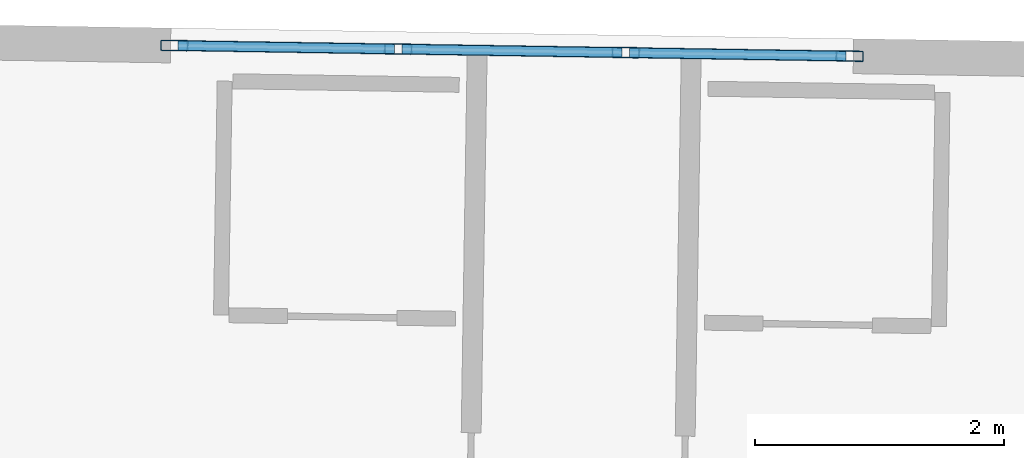
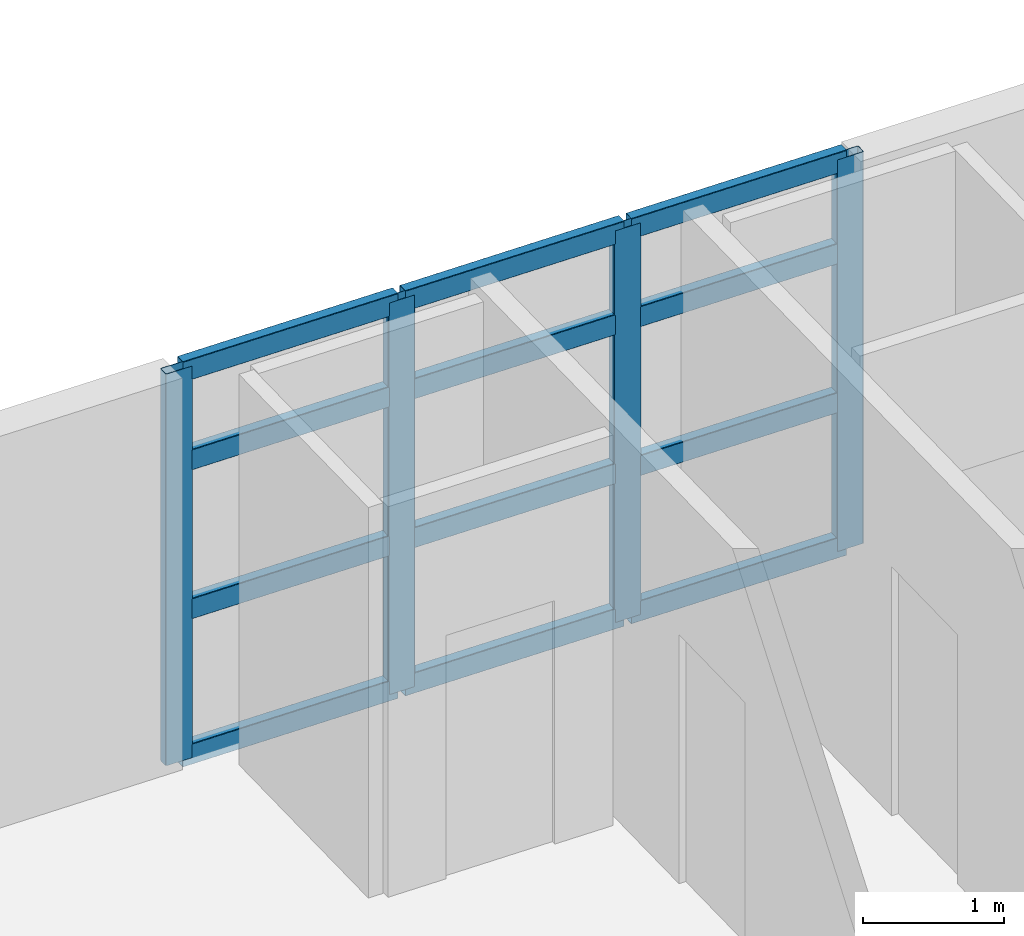
# One storey, part 9 of 22: 16 members, 1 element without a shape of its own.
"""IFC4 building model written with IfcOpenShell, lengths in metres."""

from ifc_helpers import new_model, si_unit, direction, frame, origin, origin_2d, place, context, subcontext, project, spatial, hollow_rectangle, extrude, material, layer, layer_set, material_profile, profile_set, type_object, element, aggregate, save


model = new_model("IFC4")

# Units and contexts
model_context = context("Model", 3, precision=1e-05, world=origin(), true_north=direction((0.0, 1.0)))
body_context = subcontext(model_context, "Body", "Model", "MODEL_VIEW")
ifc_project = project(units=[si_unit("LENGTHUNIT", "METRE"), si_unit("AREAUNIT", "SQUARE_METRE"), si_unit("VOLUMEUNIT", "CUBIC_METRE"), si_unit("PLANEANGLEUNIT", "RADIAN"), si_unit("MASSUNIT", "GRAM", prefix="KILO")], contexts=[model_context])

# Site, building, storey
site_placement = place(None, origin())
site = spatial("IfcSite", under=ifc_project, at=site_placement, CompositionType="ELEMENT")
building_placement = place(site_placement, origin())
building = spatial("IfcBuilding", under=site, at=building_placement, Name="Qingluan Cross Belvedere", CompositionType="ELEMENT")
storey_placement = place(building_placement, frame((0.0, 0.0, 100.199951171875)))
storey = spatial("IfcBuildingStorey", under=building, at=storey_placement, Name="L25", CompositionType="ELEMENT", Elevation=100.199951171875)

# Curtain wall, members
ifc_material_1 = material(Name="Thermally broken aluminium and Low-E glass", Category="aluminium")
ifc_layer = layer(ifc_material_1, 0.199951171875, Name="UnitisedCW_SkyLobbyLow")
ifc_layer_set = layer_set([ifc_layer], Name="Thermally broken aluminium and Low-E glass")
curtain_wall_type = type_object("IfcCurtainWallType", Name="UnitisedCW_SkyLobbyLow", PredefinedType="USERDEFINED", material=ifc_layer_set)
curtain_wall_placement = place(storey_placement, origin())
curtain_wall = element("IfcCurtainWall", 1, at=curtain_wall_placement, inside=storey, type_object=curtain_wall_type, Name="UnitisedCW_SkyLobbyLow run env:cw:L25:N", ObjectType="UNITISED CURTAIN WALL", PredefinedType="USERDEFINED")
ifc_material_2 = material(Name="Aluminium alloy 6063-T6", Category="aluminium")
ifc_material_profile_1 = material_profile(ifc_material_2, hollow_rectangle(XDim=0.0849609375, YDim=0.219970703125, WallThickness=0.0048828125, InnerFilletRadius=0.0048828125, OuterFilletRadius=0.010009765625, at=origin_2d()), Name="CWM220x85x5")
ifc_profile_set_1 = profile_set([ifc_material_profile_1], Name="Aluminium alloy 6063-T6")
member_type_1 = type_object("IfcMemberType", Name="CWMullion_220", PredefinedType="MULLION", material=ifc_profile_set_1)
member_1_placement = place(storey_placement, frame((3.26611328125, 35.133056640625, 0.0), z_axis=(0.0, 0.0, 1.0), x_axis=(-0.015707062874, -0.999876636479, 0.0)))
member_1 = element("IfcMember", 2, at=member_1_placement, type_object=member_type_1, Name="CW-S1 mullion 1", PredefinedType="MULLION", context=body_context, shape_type="SweptSolid", body=[
    extrude(hollow_rectangle(XDim=0.0849609375, YDim=0.219970703125, WallThickness=0.0048828125, InnerFilletRadius=0.0048828125, OuterFilletRadius=0.010009765625, at=origin_2d()), origin(), (0.0, 0.0, 1.0), 3.380126953125),
])
member_2_placement = place(storey_placement, frame((1.467041015625, 35.161376953125, 0.0), z_axis=(0.0, 0.0, 1.0), x_axis=(-0.015707062874, -0.999876636479, 0.0)))
member_2 = element("IfcMember", 3, at=member_2_placement, type_object=member_type_1, Name="CW-S1 mullion 2", PredefinedType="MULLION", context=body_context, shape_type="SweptSolid", body=[
    extrude(hollow_rectangle(XDim=0.0849609375, YDim=0.219970703125, WallThickness=0.0048828125, InnerFilletRadius=0.0048828125, OuterFilletRadius=0.010009765625, at=origin_2d()), origin(), (0.0, 0.0, 1.0), 3.380126953125),
])
member_3_placement = place(storey_placement, frame((-0.362060546875, 35.190185546875, 0.0), z_axis=(0.0, 0.0, 1.0), x_axis=(-0.015707062874, -0.999876636479, 0.0)))
member_3 = element("IfcMember", 4, at=member_3_placement, type_object=member_type_1, Name="CW-S1 mullion 3", PredefinedType="MULLION", context=body_context, shape_type="SweptSolid", body=[
    extrude(hollow_rectangle(XDim=0.0849609375, YDim=0.219970703125, WallThickness=0.0048828125, InnerFilletRadius=0.0048828125, OuterFilletRadius=0.010009765625, at=origin_2d()), origin(), (0.0, 0.0, 1.0), 3.380126953125),
])
member_4_placement = place(storey_placement, frame((-2.1611328125, 35.21826171875, 0.0), z_axis=(0.0, 0.0, 1.0), x_axis=(-0.015707062874, -0.999876636479, 0.0)))
member_4 = element("IfcMember", 5, at=member_4_placement, type_object=member_type_1, Name="CW-S1 mullion 4", PredefinedType="MULLION", context=body_context, shape_type="SweptSolid", body=[
    extrude(hollow_rectangle(XDim=0.0849609375, YDim=0.219970703125, WallThickness=0.0048828125, InnerFilletRadius=0.0048828125, OuterFilletRadius=0.010009765625, at=origin_2d()), origin(), (0.0, 0.0, 1.0), 3.380126953125),
])
ifc_material_3 = material(Name="Aluminium alloy 6063-T6", Category="aluminium")
ifc_material_profile_2 = material_profile(ifc_material_3, hollow_rectangle(XDim=0.0849609375, YDim=0.179931640625, WallThickness=0.00390625, InnerFilletRadius=0.00390625, OuterFilletRadius=0.008056640625, at=origin_2d()), Name="CWT180x85x4")
ifc_profile_set_2 = profile_set([ifc_material_profile_2], Name="Aluminium alloy 6063-T6")
member_type_2 = type_object("IfcMemberType", Name="CWTransom_180", PredefinedType="USERDEFINED", material=ifc_profile_set_2)
member_5_placement = place(storey_placement, frame((3.236328125, 35.133544921875, 0.030029296875), z_axis=(-0.999876440048, 0.015719562224, 0.0), x_axis=(-0.015719562224, -0.999876440048, 0.0)))
member_5 = element("IfcMember", 6, at=member_5_placement, type_object=member_type_2, Name="CW-S1 transom 1.1", ObjectType="TRANSOM", PredefinedType="USERDEFINED", context=body_context, shape_type="SweptSolid", body=[
    extrude(hollow_rectangle(XDim=0.0849609375, YDim=0.179931640625, WallThickness=0.00390625, InnerFilletRadius=0.00390625, OuterFilletRadius=0.008056640625, at=origin_2d()), origin(), (0.0, 0.0, 1.0), 1.739501953125),
])
member_6_placement = place(storey_placement, frame((3.236328125, 35.133544921875, 1.283935546875), z_axis=(-0.999876440048, 0.015719562224, 0.0), x_axis=(-0.015719562224, -0.999876440048, 0.0)))
member_6 = element("IfcMember", 7, at=member_6_placement, type_object=member_type_2, Name="CW-S1 transom 1.2", ObjectType="TRANSOM", PredefinedType="USERDEFINED", context=body_context, shape_type="SweptSolid", body=[
    extrude(hollow_rectangle(XDim=0.0849609375, YDim=0.179931640625, WallThickness=0.00390625, InnerFilletRadius=0.00390625, OuterFilletRadius=0.008056640625, at=origin_2d()), origin(), (0.0, 0.0, 1.0), 1.739501953125),
])
member_7_placement = place(storey_placement, frame((3.236328125, 35.133544921875, 2.569091796875), z_axis=(-0.999876440048, 0.015719562224, 0.0), x_axis=(-0.015719562224, -0.999876440048, 0.0)))
member_7 = element("IfcMember", 8, at=member_7_placement, type_object=member_type_2, Name="CW-S1 transom 1.3", ObjectType="TRANSOM", PredefinedType="USERDEFINED", context=body_context, shape_type="SweptSolid", body=[
    extrude(hollow_rectangle(XDim=0.0849609375, YDim=0.179931640625, WallThickness=0.00390625, InnerFilletRadius=0.00390625, OuterFilletRadius=0.008056640625, at=origin_2d()), origin(), (0.0, 0.0, 1.0), 1.739501953125),
])
member_8_placement = place(storey_placement, frame((3.236328125, 35.133544921875, 3.35009765625), z_axis=(-0.999876440048, 0.015719562224, 0.0), x_axis=(-0.015719562224, -0.999876440048, 0.0)))
member_8 = element("IfcMember", 9, at=member_8_placement, type_object=member_type_2, Name="CW-S1 transom 1.4", ObjectType="TRANSOM", PredefinedType="USERDEFINED", context=body_context, shape_type="SweptSolid", body=[
    extrude(hollow_rectangle(XDim=0.0849609375, YDim=0.179931640625, WallThickness=0.00390625, InnerFilletRadius=0.00390625, OuterFilletRadius=0.008056640625, at=origin_2d()), origin(), (0.0, 0.0, 1.0), 1.739501953125),
])
member_9_placement = place(storey_placement, frame((1.43701171875, 35.161865234375, 0.030029296875), z_axis=(-0.999876262188, 0.015730871362, 0.0), x_axis=(-0.015730871362, -0.999876262188, 0.0)))
member_9 = element("IfcMember", 10, at=member_9_placement, type_object=member_type_2, Name="CW-S1 transom 2.1", ObjectType="TRANSOM", PredefinedType="USERDEFINED", context=body_context, shape_type="SweptSolid", body=[
    extrude(hollow_rectangle(XDim=0.0849609375, YDim=0.179931640625, WallThickness=0.00390625, InnerFilletRadius=0.00390625, OuterFilletRadius=0.008056640625, at=origin_2d()), origin(), (0.0, 0.0, 1.0), 1.769287109375),
])
member_10_placement = place(storey_placement, frame((1.43701171875, 35.161865234375, 1.283935546875), z_axis=(-0.999876262188, 0.015730871362, 0.0), x_axis=(-0.015730871362, -0.999876262188, 0.0)))
member_10 = element("IfcMember", 11, at=member_10_placement, type_object=member_type_2, Name="CW-S1 transom 2.2", ObjectType="TRANSOM", PredefinedType="USERDEFINED", context=body_context, shape_type="SweptSolid", body=[
    extrude(hollow_rectangle(XDim=0.0849609375, YDim=0.179931640625, WallThickness=0.00390625, InnerFilletRadius=0.00390625, OuterFilletRadius=0.008056640625, at=origin_2d()), origin(), (0.0, 0.0, 1.0), 1.769287109375),
])
member_11_placement = place(storey_placement, frame((1.43701171875, 35.161865234375, 2.569091796875), z_axis=(-0.999876262188, 0.015730871362, 0.0), x_axis=(-0.015730871362, -0.999876262188, 0.0)))
member_11 = element("IfcMember", 12, at=member_11_placement, type_object=member_type_2, Name="CW-S1 transom 2.3", ObjectType="TRANSOM", PredefinedType="USERDEFINED", context=body_context, shape_type="SweptSolid", body=[
    extrude(hollow_rectangle(XDim=0.0849609375, YDim=0.179931640625, WallThickness=0.00390625, InnerFilletRadius=0.00390625, OuterFilletRadius=0.008056640625, at=origin_2d()), origin(), (0.0, 0.0, 1.0), 1.769287109375),
])
member_12_placement = place(storey_placement, frame((1.43701171875, 35.161865234375, 3.35009765625), z_axis=(-0.999876262188, 0.015730871362, 0.0), x_axis=(-0.015730871362, -0.999876262188, 0.0)))
member_12 = element("IfcMember", 13, at=member_12_placement, type_object=member_type_2, Name="CW-S1 transom 2.4", ObjectType="TRANSOM", PredefinedType="USERDEFINED", context=body_context, shape_type="SweptSolid", body=[
    extrude(hollow_rectangle(XDim=0.0849609375, YDim=0.179931640625, WallThickness=0.00390625, InnerFilletRadius=0.00390625, OuterFilletRadius=0.008056640625, at=origin_2d()), origin(), (0.0, 0.0, 1.0), 1.769287109375),
])
member_13_placement = place(storey_placement, frame((-0.39208984375, 35.1904296875, 0.030029296875), z_axis=(-0.999876405359, 0.015721768553, 0.0), x_axis=(-0.015721768553, -0.999876405359, 0.0)))
member_13 = element("IfcMember", 14, at=member_13_placement, type_object=member_type_2, Name="CW-S1 transom 3.1", ObjectType="TRANSOM", PredefinedType="USERDEFINED", context=body_context, shape_type="SweptSolid", body=[
    extrude(hollow_rectangle(XDim=0.0849609375, YDim=0.179931640625, WallThickness=0.00390625, InnerFilletRadius=0.00390625, OuterFilletRadius=0.008056640625, at=origin_2d()), origin(), (0.0, 0.0, 1.0), 1.7392578125),
])
member_14_placement = place(storey_placement, frame((-0.39208984375, 35.1904296875, 1.283935546875), z_axis=(-0.999876405359, 0.015721768553, 0.0), x_axis=(-0.015721768553, -0.999876405359, 0.0)))
member_14 = element("IfcMember", 15, at=member_14_placement, type_object=member_type_2, Name="CW-S1 transom 3.2", ObjectType="TRANSOM", PredefinedType="USERDEFINED", context=body_context, shape_type="SweptSolid", body=[
    extrude(hollow_rectangle(XDim=0.0849609375, YDim=0.179931640625, WallThickness=0.00390625, InnerFilletRadius=0.00390625, OuterFilletRadius=0.008056640625, at=origin_2d()), origin(), (0.0, 0.0, 1.0), 1.7392578125),
])
member_15_placement = place(storey_placement, frame((-0.39208984375, 35.1904296875, 2.569091796875), z_axis=(-0.999876405359, 0.015721768553, 0.0), x_axis=(-0.015721768553, -0.999876405359, 0.0)))
member_15 = element("IfcMember", 16, at=member_15_placement, type_object=member_type_2, Name="CW-S1 transom 3.3", ObjectType="TRANSOM", PredefinedType="USERDEFINED", context=body_context, shape_type="SweptSolid", body=[
    extrude(hollow_rectangle(XDim=0.0849609375, YDim=0.179931640625, WallThickness=0.00390625, InnerFilletRadius=0.00390625, OuterFilletRadius=0.008056640625, at=origin_2d()), origin(), (0.0, 0.0, 1.0), 1.7392578125),
])
member_16_placement = place(storey_placement, frame((-0.39208984375, 35.1904296875, 3.35009765625), z_axis=(-0.999876405359, 0.015721768553, 0.0), x_axis=(-0.015721768553, -0.999876405359, 0.0)))
member_16 = element("IfcMember", 17, at=member_16_placement, type_object=member_type_2, Name="CW-S1 transom 3.4", ObjectType="TRANSOM", PredefinedType="USERDEFINED", context=body_context, shape_type="SweptSolid", body=[
    extrude(hollow_rectangle(XDim=0.0849609375, YDim=0.179931640625, WallThickness=0.00390625, InnerFilletRadius=0.00390625, OuterFilletRadius=0.008056640625, at=origin_2d()), origin(), (0.0, 0.0, 1.0), 1.7392578125),
])
aggregate(curtain_wall, [member_1, member_2, member_3, member_4, member_5, member_6, member_7, member_8, member_9, member_10, member_11, member_12, member_13, member_14, member_15, member_16])

save(model, "model.ifc")
